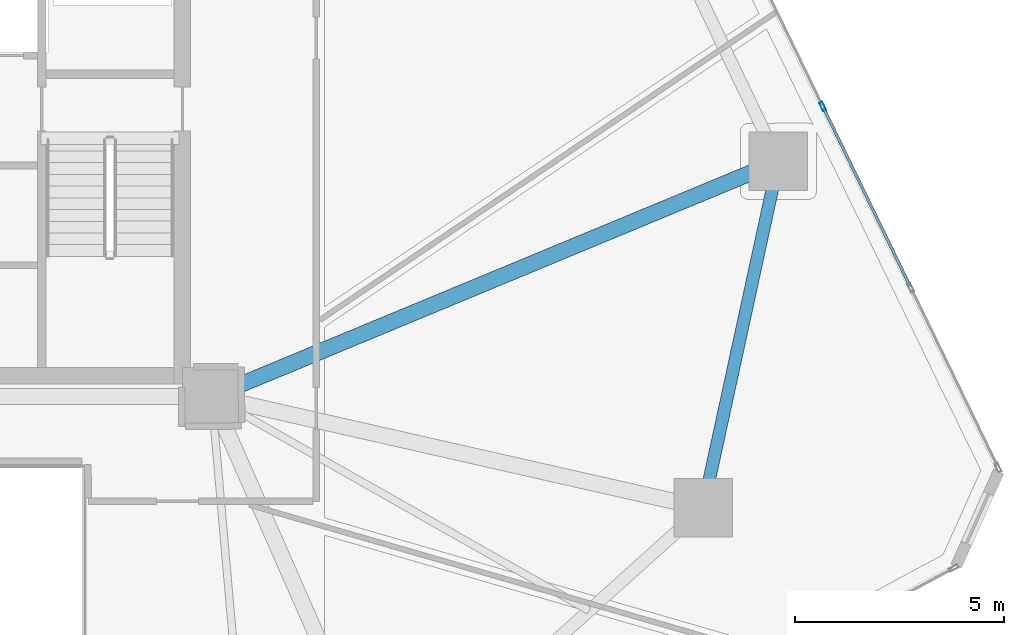
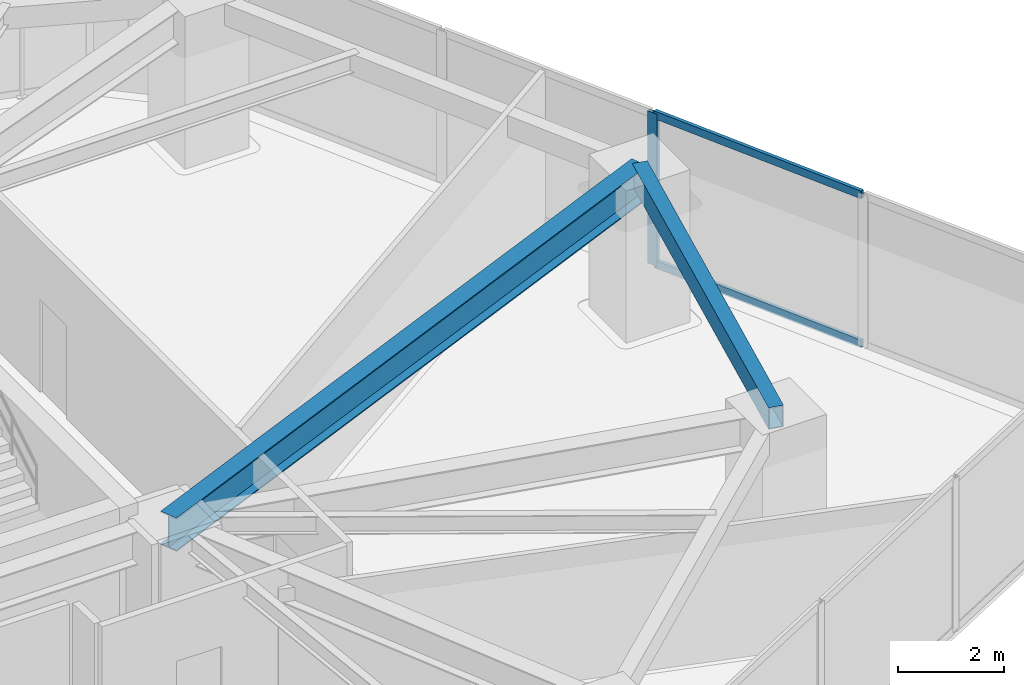
# One storey, part 12 of 24: 3 members, 2 beams, 1 element without a shape of its own.
"""IFC4 building model written with IfcOpenShell, lengths in metres."""

import ifcopenshell
import ifcopenshell.guid

model = None  # the IFC model being written
_history = None  # IfcOwnerHistory: only IFC2X3 demands one
_inside = {}  # id of a spatial element -> (the spatial element, [elements in it])
_under = {}  # id of a project, library or spatial element -> (it, [spatial elements below it])
_declared = {}  # id of a project -> (the project, [libraries it declares])
_typed = {}  # id of a type object -> (the type object, [elements of that type])
_made_of = {}  # id of a material, layer set ... -> (it, [elements and type objects made of it])


def new_model(schema):
    """Start an empty IFC model of exactly this schema.

    Asked for "IFC4X3", IfcOpenShell would pick the latest addendum, in which some entities
    have other attributes; the version numbers below select the first issue.
    IFC2X3 requires an IfcOwnerHistory on every rooted entity: one is made here for all.
    """
    global model, _history
    if schema == "IFC4X3":
        model = ifcopenshell.file(schema_version=(4, 3, 0, 0))
    else:
        model = ifcopenshell.file(schema=schema)
    _inside.clear()
    _under.clear()
    _declared.clear()
    _typed.clear()
    _made_of.clear()
    _history = None
    if model.schema == "IFC2X3":
        org = make("IfcOrganization", Name="unknown")
        user = make(
            "IfcPersonAndOrganization",
            ThePerson=make("IfcPerson", FamilyName="unknown"),
            TheOrganization=org,
        )
        app = make(
            "IfcApplication",
            ApplicationDeveloper=org,
            Version="unknown",
            ApplicationFullName="unknown",
            ApplicationIdentifier="unknown",
        )
        _history = make(
            "IfcOwnerHistory",
            OwningUser=user,
            OwningApplication=app,
            ChangeAction="ADDED",
            CreationDate=0,
        )
    return model


def make(cls, **values):
    """One entity of the class cls with the attributes given. An attribute that is None is left unset."""
    return model.create_entity(
        cls, **{name: value for name, value in values.items() if value is not None}
    )


def rooted(cls, **values):
    """An entity with a GlobalId (a new one), such as an element, a storey or a relation."""
    return make(cls, GlobalId=ifcopenshell.guid.new(), OwnerHistory=_history, **values)


def si_unit(unit_type, name, prefix=None):
    """IfcSIUnit, for example si_unit("LENGTHUNIT", "METRE", prefix="MILLI")."""
    return make("IfcSIUnit", UnitType=unit_type, Prefix=prefix, Name=name)


def assignment(units):
    """IfcUnitAssignment: the units of a project."""
    return None if units is None else make("IfcUnitAssignment", Units=units)


def point(xyz):
    """IfcCartesianPoint."""
    return None if xyz is None else make("IfcCartesianPoint", Coordinates=xyz)


def direction(xyz):
    """IfcDirection."""
    return None if xyz is None else make("IfcDirection", DirectionRatios=xyz)


def frame(location, z_axis=None, x_axis=None):
    """IfcAxis2Placement3D, a coordinate frame: its origin and axes. An axis left out is left unset."""
    return make(
        "IfcAxis2Placement3D",
        Location=point(location),
        Axis=direction(z_axis),
        RefDirection=direction(x_axis),
    )


def frame_2d(location, x_axis=None):
    """IfcAxis2Placement2D, a coordinate frame in the plane: its origin and x axis."""
    return make(
        "IfcAxis2Placement2D", Location=point(location), RefDirection=direction(x_axis)
    )


def origin():
    """The frame at (0, 0, 0) with its axes left unset."""
    return frame((0.0, 0.0, 0.0))


def origin_2d():
    """The frame at (0, 0) in the plane with its x axis left unset."""
    return frame_2d((0.0, 0.0))


def place(relative_to, where):
    """IfcLocalPlacement: puts the frame where relative to a parent placement (None: the world)."""
    return make(
        "IfcLocalPlacement", PlacementRelTo=relative_to, RelativePlacement=where
    )


def context(
    kind, dimensions, precision=None, world=None, true_north=None, identifier=None
):
    """IfcGeometricRepresentationContext, for example the 3D "Model" context."""
    return make(
        "IfcGeometricRepresentationContext",
        ContextIdentifier=identifier,
        ContextType=kind,
        CoordinateSpaceDimension=dimensions,
        Precision=precision,
        WorldCoordinateSystem=world,
        TrueNorth=true_north,
    )


def subcontext(parent, identifier, kind, view, scale=None):
    """IfcGeometricRepresentationSubContext, for example "Body" below "Model"."""
    return make(
        "IfcGeometricRepresentationSubContext",
        ContextIdentifier=identifier,
        ContextType=kind,
        ParentContext=parent,
        TargetScale=scale,
        TargetView=view,
    )


def project(units=None, contexts=None):
    """IfcProject with its units and contexts."""
    return rooted(
        "IfcProject",
        Name="project",
        RepresentationContexts=contexts,
        UnitsInContext=assignment(units),
    )


def spatial(cls, under=None, at=None, **own):
    """A site, building, storey or space (cls), placed at a placement, below another one or the project."""
    s = rooted(cls, ObjectPlacement=at, **own)
    if under is not None:
        _under.setdefault(under.id(), (under, []))[1].append(s)
    return s


def profile(cls, at=None, kind="AREA", **sizes):
    """A parametric profile (cls). Its sizes go by their IFC names, for example OverallWidth=200.0."""
    return make(cls, ProfileType=kind, Position=at, **sizes)


def hollow_rectangle(**sizes):
    """IfcRectangleHollowProfileDef."""
    return profile("IfcRectangleHollowProfileDef", **sizes)


def i_section(**sizes):
    """IfcIShapeProfileDef."""
    return profile("IfcIShapeProfileDef", **sizes)


def extrude(swept, where, along, depth):
    """IfcExtrudedAreaSolid: the profile swept, set in the frame where, extruded along a direction by depth."""
    return make(
        "IfcExtrudedAreaSolid",
        SweptArea=swept,
        Position=where,
        ExtrudedDirection=direction(along),
        Depth=depth,
    )


def shape(context_of_items, identifier, shape_type, items):
    """IfcShapeRepresentation: the items that make up one representation, for example the "Body"."""
    return make(
        "IfcShapeRepresentation",
        ContextOfItems=context_of_items,
        RepresentationIdentifier=identifier,
        RepresentationType=shape_type,
        Items=items,
    )


def source(mapping_origin, context_of_items, identifier, shape_type, items):
    """IfcRepresentationMap: a shape defined once, which mapped items show again and again."""
    return make(
        "IfcRepresentationMap",
        MappingOrigin=mapping_origin,
        MappedRepresentation=shape(context_of_items, identifier, shape_type, items),
    )


def transform(
    local_origin,
    x_axis=None,
    y_axis=None,
    z_axis=None,
    scale=None,
    scale2=None,
    scale3=None,
    uniform=True,
):
    """IfcCartesianTransformationOperator3D, or its non-uniform kind. x_axis, y_axis, z_axis: its Axis1, 2, 3."""
    if uniform:
        return make(
            "IfcCartesianTransformationOperator3D",
            Axis1=direction(x_axis),
            Axis2=direction(y_axis),
            LocalOrigin=point(local_origin),
            Scale=scale,
            Axis3=direction(z_axis),
        )
    return make(
        "IfcCartesianTransformationOperator3DnonUniform",
        Axis1=direction(x_axis),
        Axis2=direction(y_axis),
        LocalOrigin=point(local_origin),
        Scale=scale,
        Axis3=direction(z_axis),
        Scale2=scale2,
        Scale3=scale3,
    )


def mapped(mapping_source, mapping_target):
    """IfcMappedItem: shows the shape of a source again, moved by a transform."""
    return make(
        "IfcMappedItem", MappingSource=mapping_source, MappingTarget=mapping_target
    )


def material(Name=None, Category=None):
    """IfcMaterial."""
    return make("IfcMaterial", Name=Name, Category=Category)


def layer(
    of_material, thickness, ventilated=None, Name=None, Category=None, Priority=None
):
    """IfcMaterialLayer: one layer of a wall or slab, of a material (None: an air gap)."""
    return make(
        "IfcMaterialLayer",
        Material=of_material,
        LayerThickness=thickness,
        IsVentilated=ventilated,
        Name=Name,
        Category=Category,
        Priority=Priority,
    )


def layer_set(layers, Name=None):
    """IfcMaterialLayerSet."""
    return make("IfcMaterialLayerSet", MaterialLayers=layers, LayerSetName=Name)


def material_profile(
    of_material, cross_section, Name=None, Category=None, Priority=None
):
    """IfcMaterialProfile: a cross section and its material."""
    return make(
        "IfcMaterialProfile",
        Name=Name,
        Material=of_material,
        Profile=cross_section,
        Priority=Priority,
        Category=Category,
    )


def profile_set(profiles, Name=None, composite=None):
    """IfcMaterialProfileSet."""
    return make(
        "IfcMaterialProfileSet",
        Name=Name,
        MaterialProfiles=profiles,
        CompositeProfile=composite,
    )


def made_of(thing, what):
    """Note that an element or type object is made of a material, layer set ...; save() writes the relation."""
    if what is not None:
        _made_of.setdefault(what.id(), (what, []))[1].append(thing)
    return thing


def type_object(cls, material=None, **own):
    """A type object (cls), such as IfcWallType, which elements share."""
    return made_of(rooted(cls, **own), material)


def type_shapes(of_type, sources):
    """Give a type object the sources (RepresentationMaps) that its elements show as mapped items."""
    of_type.RepresentationMaps = sources


def element(
    cls,
    number,
    at=None,
    inside=None,
    cuts=None,
    type_object=None,
    material=None,
    context=None,
    identifier="Body",
    shape_type=None,
    held_by="IfcProductDefinitionShape",
    body=None,
    shapes=None,
    **own,
):
    """One element of the class cls, such as IfcWall. Its Tag is "e" and its number.

    at: its placement. inside: the storey or other place that contains it. cuts: it is an
    opening in that element (IfcRelVoidsElement). A single representation is given by context,
    identifier, shape_type and body (its items); several are given by shapes. held_by: the class
    of the entity that holds the representations. save() writes the other relations.
    """
    e = rooted(cls, Tag="e%d" % number, ObjectPlacement=at, **own)
    if body is not None:
        shapes = [shape(context, identifier, shape_type, body)]
    if shapes is not None:
        e.Representation = make(held_by, Representations=shapes)
    if inside is not None:
        _inside.setdefault(inside.id(), (inside, []))[1].append(e)
    if cuts is not None:
        rooted(
            "IfcRelVoidsElement", RelatingBuildingElement=cuts, RelatedOpeningElement=e
        )
    if type_object is not None:
        _typed.setdefault(type_object.id(), (type_object, []))[1].append(e)
    return made_of(e, material)


def aggregate(whole, parts):
    """IfcRelAggregates: a whole, such as a stair, and the parts it consists of."""
    return rooted("IfcRelAggregates", RelatingObject=whole, RelatedObjects=parts)


def save(model, path):
    """Write the relations noted so far, then the file.

    IfcRelAggregates (storeys below a building ...), IfcRelContainedInSpatialStructure (elements
    in a storey), IfcRelDefinesByType, IfcRelAssociatesMaterial and IfcRelDeclares: one each for
    every whole, place, type object, material and project.
    """
    for whole, parts in _under.values():
        aggregate(whole, parts)
    for where, things in _inside.values():
        rooted(
            "IfcRelContainedInSpatialStructure",
            RelatedElements=things,
            RelatingStructure=where,
        )
    for kind, things in _typed.values():
        rooted("IfcRelDefinesByType", RelatedObjects=things, RelatingType=kind)
    for what, things in _made_of.values():
        rooted("IfcRelAssociatesMaterial", RelatedObjects=things, RelatingMaterial=what)
    for by, libraries in _declared.values():
        rooted("IfcRelDeclares", RelatingContext=by, RelatedDefinitions=libraries)
    model.write(path)


model = new_model("IFC4")

# Units and contexts
model_context = context("Model", 3, precision=1e-05, world=origin(), true_north=direction((0.0, 1.0)))
body_context = subcontext(model_context, "Body", "Model", "MODEL_VIEW")
ifc_project = project(units=[si_unit("LENGTHUNIT", "METRE"), si_unit("AREAUNIT", "SQUARE_METRE"), si_unit("VOLUMEUNIT", "CUBIC_METRE"), si_unit("PLANEANGLEUNIT", "RADIAN"), si_unit("MASSUNIT", "GRAM", prefix="KILO")], contexts=[model_context])

# Site, building, storey
site_placement = place(None, origin())
site = spatial("IfcSite", under=ifc_project, at=site_placement, CompositionType="ELEMENT")
building_placement = place(site_placement, origin())
building = spatial("IfcBuilding", under=site, at=building_placement, Name="Talar Marvaseh", CompositionType="ELEMENT")
storey_placement = place(building_placement, frame((0.0, 0.0, 43.0)))
storey = spatial("IfcBuildingStorey", under=building, at=storey_placement, Name="L10", CompositionType="ELEMENT", Elevation=43.0)

# Beams
ifc_material_1 = material(Name="Steel S355", Category="steel")
ifc_material_profile_1 = material_profile(ifc_material_1, hollow_rectangle(XDim=0.300048828125, YDim=0.5, WallThickness=0.02001953125, at=origin_2d()), Name="RHS500x300x20")
ifc_profile_set_1 = profile_set([ifc_material_profile_1], Name="Steel S355")
beam_type_1 = type_object("IfcBeamType", Name="Zone 1 Perimeter Spandrel Beam RHS500x300x20", PredefinedType="SPANDREL", material=ifc_profile_set_1)
beam_1_placement = place(storey_placement, frame((46.841064453125, 31.118896484375, 3.27001953125), z_axis=(-0.212134113363, -0.977240562987, 0.0), x_axis=(0.977240562987, -0.212134113363, 0.0)))
element("IfcBeam", 1, at=beam_1_placement, inside=storey, type_object=beam_type_1, Name="L10 Zone 1 Perimeter Spandrel Beam RHS500x300x20", PredefinedType="SPANDREL", context=body_context, shape_type="SweptSolid", body=[
    extrude(hollow_rectangle(XDim=0.300048828125, YDim=0.5, WallThickness=0.02001953125, at=origin_2d()), origin(), (0.0, 0.0, 1.0), 8.4716796875),
])
ifc_material_profile_2 = material_profile(ifc_material_1, i_section(OverallWidth=0.381103515625, OverallDepth=0.77294921875, WebThickness=0.0166015625, FlangeThickness=0.027099609375, at=origin_2d()), Name="W760x257")
ifc_profile_set_2 = profile_set([ifc_material_profile_2], Name="Steel S355")
beam_type_2 = type_object("IfcBeamType", Name="Zone 1 Radial Floor Girder W760x257", PredefinedType="BEAM", material=ifc_profile_set_2)
beam_2_placement = place(storey_placement, frame((46.841064453125, 31.118896484375, 3.133544921875), z_axis=(-0.923637605375, -0.383266974753, 0.0), x_axis=(0.383266974753, -0.923637605375, 0.0)))
element("IfcBeam", 2, at=beam_2_placement, inside=storey, type_object=beam_type_2, Name="L10 Zone 1 Radial Floor Girder W760x257", PredefinedType="BEAM", context=body_context, shape_type="SweptSolid", body=[
    extrude(i_section(OverallWidth=0.381103515625, OverallDepth=0.77294921875, WebThickness=0.0166015625, FlangeThickness=0.027099609375, at=origin_2d()), origin(), (0.0, 0.0, 1.0), 14.66064453125),
])

# Curtain wall, members
ifc_material_2 = material(Name="Architectural Aluminium", Category="aluminium")
ifc_layer = layer(ifc_material_2, 0.219970703125)
ifc_layer_set = layer_set([ifc_layer], Name="Architectural Aluminium")
curtain_wall_type = type_object("IfcCurtainWallType", Name="Unitised Low-E Museum Curtain Wall Z1", PredefinedType="NOTDEFINED", material=ifc_layer_set)
curtain_wall_placement = place(storey_placement, origin())
curtain_wall = element("IfcCurtainWall", 3, at=curtain_wall_placement, inside=storey, type_object=curtain_wall_type, Name="L10 Unitised Low-E Museum Curtain Wall Z1", PredefinedType="NOTDEFINED")
ifc_material_profile_3 = material_profile(ifc_material_2, hollow_rectangle(XDim=0.080078125, YDim=0.219970703125, WallThickness=0.0048828125, at=origin_2d()), Name="RHS220x80x5")
ifc_profile_set_3 = profile_set([ifc_material_profile_3], Name="Architectural Aluminium")
member_type_1 = type_object("IfcMemberType", Name="Unitised Curtain Wall Heavy Mullion RHS220x80x5", PredefinedType="MULLION", material=ifc_profile_set_3)
shared_shape_1 = source(origin(), body_context, "Body", "SweptSolid", [
    extrude(hollow_rectangle(XDim=0.080078125, YDim=0.219970703125, WallThickness=0.0048828125, at=origin_2d()), origin(), (0.0, 0.0, 1.0), 3.52001953125),
])
type_shapes(member_type_1, [shared_shape_1])
member_1_placement = place(storey_placement, frame((47.899658203125, 32.43359375, 0.0), z_axis=(0.0, 0.0, 1.0), x_axis=(0.89952791467, 0.436863286086, 0.0)))
member_1 = element("IfcMember", 4, at=member_1_placement, type_object=member_type_1, Name="CW-Z1 mullion 3", PredefinedType="MULLION", context=body_context, shape_type="MappedRepresentation", body=[
    mapped(shared_shape_1, transform((0.0, 0.0, 0.0), x_axis=(1.0, 0.0, 0.0), y_axis=(0.0, 1.0, 0.0), z_axis=(0.0, 0.0, 1.0), scale=1.0)),
])
ifc_material_profile_4 = material_profile(ifc_material_2, hollow_rectangle(XDim=0.074951171875, YDim=0.179931640625, WallThickness=0.0048828125, at=origin_2d()), Name="RHS180x75x5")
ifc_profile_set_4 = profile_set([ifc_material_profile_4], Name="Architectural Aluminium")
member_type_2 = type_object("IfcMemberType", Name="Unitised Curtain Wall Transom RHS180x75x5", PredefinedType="USERDEFINED", material=ifc_profile_set_4)
shared_shape_2 = source(origin(), body_context, "Body", "SweptSolid", [
    extrude(hollow_rectangle(XDim=0.074951171875, YDim=0.179931640625, WallThickness=0.0048828125, at=origin_2d()), origin(), (0.0, 0.0, 1.0), 4.736572265625),
])
type_shapes(member_type_2, [shared_shape_2])
member_2_placement = place(storey_placement, frame((47.9169921875, 32.397705078125, 0.03759765625), z_axis=(0.436875365546, -0.899522048078, 0.0), x_axis=(0.899522048078, 0.436875365546, 0.0)))
member_2 = element("IfcMember", 5, at=member_2_placement, type_object=member_type_2, Name="CW-Z1 transom 3.1", ObjectType="TRANSOM", PredefinedType="USERDEFINED", context=body_context, shape_type="MappedRepresentation", body=[
    mapped(shared_shape_2, transform((0.0, 0.0, 0.0), x_axis=(1.0, 0.0, 0.0), y_axis=(0.0, 1.0, 0.0), z_axis=(0.0, 0.0, 1.0), scale=1.0)),
])
member_3_placement = place(storey_placement, frame((47.9169921875, 32.397705078125, 3.482421875), z_axis=(0.436875365546, -0.899522048078, 0.0), x_axis=(0.899522048078, 0.436875365546, 0.0)))
member_3 = element("IfcMember", 6, at=member_3_placement, type_object=member_type_2, Name="CW-Z1 transom 3.2", ObjectType="TRANSOM", PredefinedType="USERDEFINED", context=body_context, shape_type="MappedRepresentation", body=[
    mapped(shared_shape_2, transform((0.0, 0.0, 0.0), x_axis=(1.0, 0.0, 0.0), y_axis=(0.0, 1.0, 0.0), z_axis=(0.0, 0.0, 1.0), scale=1.0)),
])
aggregate(curtain_wall, [member_1, member_2, member_3])

save(model, "model.ifc")
